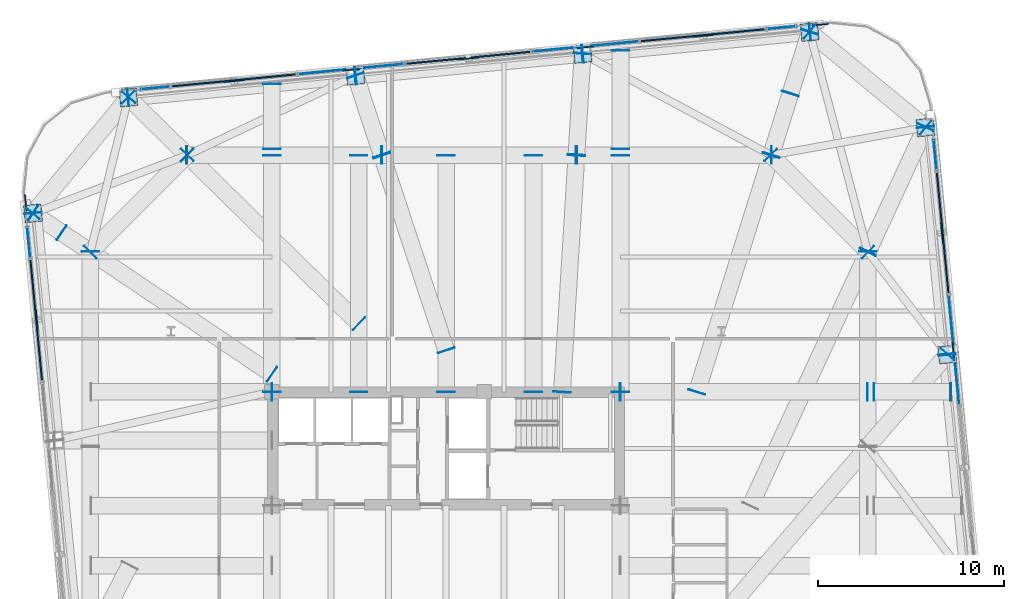
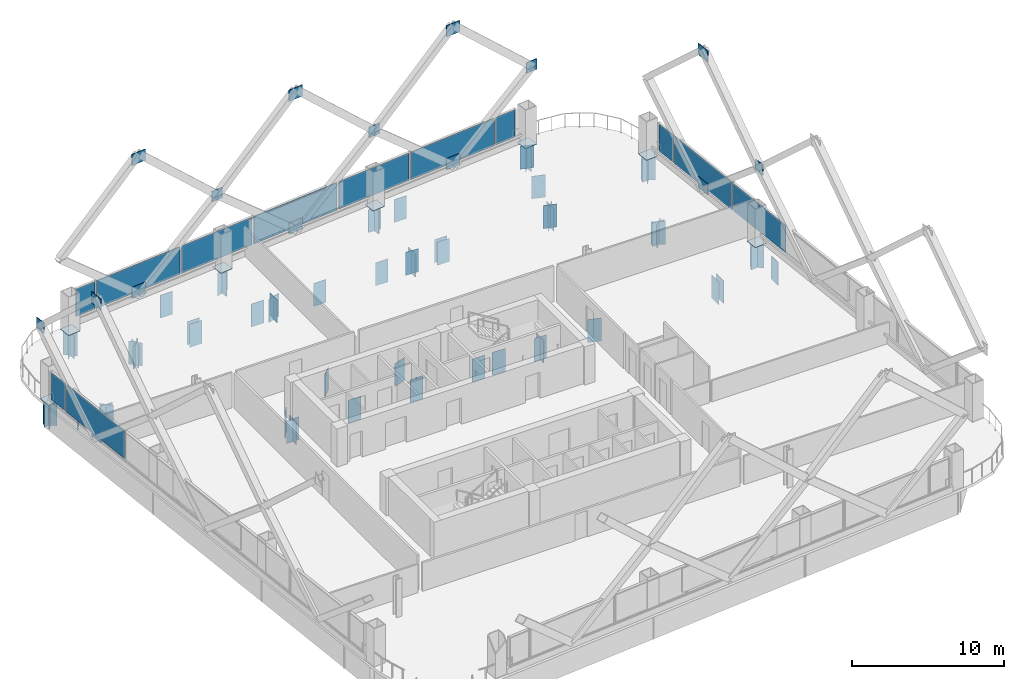
# One storey, part 36 of 42: 105 plates, 12 elements without a shape of their own.
"""IFC4 building model written with IfcOpenShell, lengths in metres."""

from ifc_helpers import new_model, si_unit, direction, frame, origin, origin_2d, place, context, subcontext, project, spatial, rectangle, extrude, material, layer, layer_set, type_object, element, aggregate, save


model = new_model("IFC4")

# Units and contexts
model_context = context("Model", 3, precision=1e-05, world=origin(), true_north=direction((0.0, 1.0)))
body_context = subcontext(model_context, "Body", "Model", "MODEL_VIEW")
ifc_project = project(units=[si_unit("LENGTHUNIT", "METRE"), si_unit("AREAUNIT", "SQUARE_METRE"), si_unit("VOLUMEUNIT", "CUBIC_METRE"), si_unit("PLANEANGLEUNIT", "RADIAN"), si_unit("MASSUNIT", "GRAM", prefix="KILO")], contexts=[model_context])

# Site, building, storey
site_placement = place(None, origin())
site = spatial("IfcSite", under=ifc_project, at=site_placement, CompositionType="ELEMENT")
building_placement = place(site_placement, origin())
building = spatial("IfcBuilding", under=site, at=building_placement, Name="Qhalaya Broadcast Tower", CompositionType="ELEMENT")
storey_placement = place(building_placement, frame((0.0, 0.0, 69.449951171875)))
storey = spatial("IfcBuildingStorey", under=building, at=storey_placement, Name="L19", CompositionType="ELEMENT", Elevation=69.449951171875)

# Plates
ifc_material_1 = material(Name="Structural Steel ASTM A572 Grade 50", Category="steel")
ifc_layer_1 = layer(ifc_material_1, 0.054931640625, Name="Structural Steel ASTM A572 Grade 50")
ifc_layer_set_1 = layer_set([ifc_layer_1], Name="Structural Steel ASTM A572 Grade 50")
plate_type_1 = type_object("IfcPlateType", Name="Exoskeleton Diamond Node Gusset Plate NP-01", PredefinedType="USERDEFINED", material=ifc_layer_set_1)
for number, where, z_axis, x_axis, name in (
    (1, (26.6533203125, 18.49072265625, 0.210205078125), (0.0, 0.0, 1.0), (-0.09584575252, 0.995396198367, 0.0), "Exoskeleton Diamond Node B2-E3-BOT"),
    (2, (26.6533203125, 18.49072265625, 10.85009765625), (0.0, 0.0, 1.0), (-0.09584575252, 0.995396198367, 0.0), "Exoskeleton Diamond Node B2-E3-TOP"),
):
    element("IfcPlate", number, at=place(storey_placement, frame(where, z_axis=z_axis, x_axis=x_axis)), inside=storey, type_object=plate_type_1, Name=name, ObjectType="GUSSET_PLATE", PredefinedType="USERDEFINED", context=body_context, shape_type="SweptSolid", body=[
        extrude(rectangle(XDim=1.10009765625, YDim=0.054931640625, at=origin_2d()), origin(), (0.0, 0.0, 1.0), 0.89990234375),
    ])
plate_1_placement = place(storey_placement, frame((27.260498046875, 12.1865234375, 5.31494140625), z_axis=(0.0, 0.0, 1.0), x_axis=(-0.09584575252, 0.995396198367, 0.0)))
element("IfcPlate", 3, at=plate_1_placement, inside=storey, type_object=plate_type_1, Name="Exoskeleton Diamond Node B2-E3-MDL", ObjectType="GUSSET_PLATE", PredefinedType="USERDEFINED", context=body_context, shape_type="SweptSolid", body=[
    extrude(rectangle(XDim=0.85009765625, YDim=0.054931640625, at=origin_2d()), origin(), (0.0, 0.0, 1.0), 0.85009765625),
])
for number, where, z_axis, x_axis, name in (
    (4, (13.805908203125, 29.08154296875, 0.210205078125), (0.0, 0.0, 1.0), (0.995396198367, 0.09584575252, 0.0), "Exoskeleton Diamond Node B2-N1-BOT"),
    (5, (13.805908203125, 29.08154296875, 10.85009765625), (0.0, 0.0, 1.0), (0.995396198367, 0.09584575252, 0.0), "Exoskeleton Diamond Node B2-N1-TOP"),
):
    element("IfcPlate", number, at=place(storey_placement, frame(where, z_axis=z_axis, x_axis=x_axis)), inside=storey, type_object=plate_type_1, Name=name, ObjectType="GUSSET_PLATE", PredefinedType="USERDEFINED", context=body_context, shape_type="SweptSolid", body=[
        extrude(rectangle(XDim=1.10009765625, YDim=0.054931640625, at=origin_2d()), origin(), (0.0, 0.0, 1.0), 0.89990234375),
    ])
plate_2_placement = place(storey_placement, frame((20.110107421875, 29.688720703125, 5.31494140625), z_axis=(0.0, 0.0, 1.0), x_axis=(0.995396198367, 0.09584575252, 0.0)))
element("IfcPlate", 6, at=plate_2_placement, inside=storey, type_object=plate_type_1, Name="Exoskeleton Diamond Node B2-N1-MDL", ObjectType="GUSSET_PLATE", PredefinedType="USERDEFINED", context=body_context, shape_type="SweptSolid", body=[
    extrude(rectangle(XDim=0.85009765625, YDim=0.054931640625, at=origin_2d()), origin(), (0.0, 0.0, 1.0), 0.85009765625),
])
for number, where, z_axis, x_axis, name in (
    (7, (1.197509765625, 27.867431640625, 0.210205078125), (0.0, 0.0, 1.0), (0.995396198367, 0.09584575252, 0.0), "Exoskeleton Diamond Node B2-N2-BOT"),
    (8, (1.197509765625, 27.867431640625, 10.85009765625), (0.0, 0.0, 1.0), (0.995396198367, 0.09584575252, 0.0), "Exoskeleton Diamond Node B2-N2-TOP"),
):
    element("IfcPlate", number, at=place(storey_placement, frame(where, z_axis=z_axis, x_axis=x_axis)), inside=storey, type_object=plate_type_1, Name=name, ObjectType="GUSSET_PLATE", PredefinedType="USERDEFINED", context=body_context, shape_type="SweptSolid", body=[
        extrude(rectangle(XDim=1.10009765625, YDim=0.054931640625, at=origin_2d()), origin(), (0.0, 0.0, 1.0), 0.89990234375),
    ])
plate_3_placement = place(storey_placement, frame((7.501708984375, 28.474609375, 5.31494140625), z_axis=(0.0, 0.0, 1.0), x_axis=(0.995396198367, 0.09584575252, 0.0)))
element("IfcPlate", 9, at=plate_3_placement, inside=storey, type_object=plate_type_1, Name="Exoskeleton Diamond Node B2-N2-MDL", ObjectType="GUSSET_PLATE", PredefinedType="USERDEFINED", context=body_context, shape_type="SweptSolid", body=[
    extrude(rectangle(XDim=0.85009765625, YDim=0.054931640625, at=origin_2d()), origin(), (0.0, 0.0, 1.0), 0.85009765625),
])
for number, where, z_axis, x_axis, name in (
    (10, (-11.410888671875, 26.6533203125, 0.210205078125), (0.0, 0.0, 1.0), (0.995396198367, 0.09584575252, 0.0), "Exoskeleton Diamond Node B2-N3-BOT"),
    (11, (-11.410888671875, 26.6533203125, 10.85009765625), (0.0, 0.0, 1.0), (0.995396198367, 0.09584575252, 0.0), "Exoskeleton Diamond Node B2-N3-TOP"),
):
    element("IfcPlate", number, at=place(storey_placement, frame(where, z_axis=z_axis, x_axis=x_axis)), inside=storey, type_object=plate_type_1, Name=name, ObjectType="GUSSET_PLATE", PredefinedType="USERDEFINED", context=body_context, shape_type="SweptSolid", body=[
        extrude(rectangle(XDim=1.10009765625, YDim=0.054931640625, at=origin_2d()), origin(), (0.0, 0.0, 1.0), 0.89990234375),
    ])
plate_4_placement = place(storey_placement, frame((-5.106689453125, 27.260498046875, 5.31494140625), z_axis=(0.0, 0.0, 1.0), x_axis=(0.995396198367, 0.09584575252, 0.0)))
element("IfcPlate", 12, at=plate_4_placement, inside=storey, type_object=plate_type_1, Name="Exoskeleton Diamond Node B2-N3-MDL", ObjectType="GUSSET_PLATE", PredefinedType="USERDEFINED", context=body_context, shape_type="SweptSolid", body=[
    extrude(rectangle(XDim=0.85009765625, YDim=0.054931640625, at=origin_2d()), origin(), (0.0, 0.0, 1.0), 0.85009765625),
])
for number, where, z_axis, x_axis, name in (
    (13, (-22.00146484375, 13.805908203125, 0.210205078125), (0.0, 0.0, 1.0), (-0.09584575252, 0.995396198367, 0.0), "Exoskeleton Diamond Node B2-W1-BOT"),
    (14, (-22.00146484375, 13.805908203125, 10.85009765625), (0.0, 0.0, 1.0), (-0.09584575252, 0.995396198367, 0.0), "Exoskeleton Diamond Node B2-W1-TOP"),
):
    element("IfcPlate", number, at=place(storey_placement, frame(where, z_axis=z_axis, x_axis=x_axis)), inside=storey, type_object=plate_type_1, Name=name, ObjectType="GUSSET_PLATE", PredefinedType="USERDEFINED", context=body_context, shape_type="SweptSolid", body=[
        extrude(rectangle(XDim=1.10009765625, YDim=0.054931640625, at=origin_2d()), origin(), (0.0, 0.0, 1.0), 0.89990234375),
    ])
plate_5_placement = place(storey_placement, frame((-22.608642578125, 20.110107421875, 5.31494140625), z_axis=(0.0, 0.0, 1.0), x_axis=(-0.09584575252, 0.995396198367, 0.0)))
element("IfcPlate", 15, at=plate_5_placement, inside=storey, type_object=plate_type_1, Name="Exoskeleton Diamond Node B2-W1-MDL", ObjectType="GUSSET_PLATE", PredefinedType="USERDEFINED", context=body_context, shape_type="SweptSolid", body=[
    extrude(rectangle(XDim=0.85009765625, YDim=0.054931640625, at=origin_2d()), origin(), (0.0, 0.0, 1.0), 0.85009765625),
])
ifc_layer_2 = layer(ifc_material_1, 0.4599609375, Name="Structural Steel ASTM A572 Grade 50")
ifc_layer_set_2 = layer_set([ifc_layer_2], Name="Structural Steel ASTM A572 Grade 50")
plate_type_2 = type_object("IfcPlateType", Name="Hollow Box Member End Cap Plate CP-01", PredefinedType="USERDEFINED", material=ifc_layer_set_2)
for number, where, z_axis, x_axis, name in (
    (16, (26.939697265625, 11.970947265625, -2.0400390625), (0.0, 0.0, 1.0), (-0.995396198367, -0.09584575252, 0.0), "L19 Hollow Girder End Cap L19-SPR-06-B"),
    (17, (26.942626953125, 11.939208984375, -2.0400390625), (0.0, 0.0, 1.0), (-0.995396198367, -0.09584575252, 0.0), "L19 Hollow Girder End Cap L19-SPR-07-A"),
    (18, (25.763916015625, 24.18115234375, -2.0400390625), (0.0, 0.0, 1.0), (-0.995396198367, -0.09584575252, 0.0), "L19 Hollow Girder End Cap L19-SPR-07-B"),
    (19, (25.77783203125, 24.155029296875, -2.0400390625), (0.0, 0.0, 1.0), (-0.636078220278, -0.771624583388, 0.0), "L19 Hollow Girder End Cap L19-SPR-08-A"),
    (20, (19.533203125, 29.302734375, -2.0400390625), (0.0, 0.0, 1.0), (-0.636078220278, -0.771624583388, 0.0), "L19 Hollow Girder End Cap L19-SPR-08-B"),
    (21, (19.561279296875, 29.294189453125, -2.0400390625), (0.0, 0.0, 1.0), (0.09584575252, -0.995396198367, 0.0), "L19 Hollow Girder End Cap L19-SPR-09-A"),
    (22, (7.3193359375, 28.115478515625, -2.0400390625), (0.0, 0.0, 1.0), (0.09584575252, -0.995396198367, 0.0), "L19 Hollow Girder End Cap L19-SPR-09-B"),
    (23, (7.35107421875, 28.118408203125, -2.0400390625), (0.0, 0.0, 1.0), (0.09584575252, -0.995396198367, 0.0), "L19 Hollow Girder End Cap L19-SPR-10-A"),
    (24, (-4.890869140625, 26.939697265625, -2.0400390625), (0.0, 0.0, 1.0), (0.09584575252, -0.995396198367, 0.0), "L19 Hollow Girder End Cap L19-SPR-10-B"),
    (25, (-4.859130859375, 26.942626953125, -2.0400390625), (0.0, 0.0, 1.0), (0.09584575252, -0.995396198367, 0.0), "L19 Hollow Girder End Cap L19-SPR-11-A"),
    (26, (-17.10107421875, 25.763916015625, -2.0400390625), (0.0, 0.0, 1.0), (0.09584575252, -0.995396198367, 0.0), "L19 Hollow Girder End Cap L19-SPR-11-B"),
    (27, (-17.074951171875, 25.77783203125, -2.0400390625), (0.0, 0.0, 1.0), (0.771624583388, -0.636078220278, 0.0), "L19 Hollow Girder End Cap L19-SPR-12-A"),
    (28, (-22.222900390625, 19.533203125, -2.0400390625), (0.0, 0.0, 1.0), (0.771624583388, -0.636078220278, 0.0), "L19 Hollow Girder End Cap L19-SPR-12-B"),
    (29, (-22.214111328125, 19.561279296875, -2.0400390625), (0.0, 0.0, 1.0), (0.995396198367, 0.09584575252, 0.0), "L19 Hollow Girder End Cap L19-SPR-13-A"),
    (30, (22.669921875, 17.486083984375, -2.0400390625), (0.0, 0.0, 1.0), (-1.0, 0.0, 0.0), "L19 Hollow Girder End Cap L19-TGL-07-B"),
    (31, (22.681396484375, 17.458740234375, -2.0400390625), (0.0, 0.0, 1.0), (-0.707106781187, -0.707106781187, 0.0), "L19 Hollow Girder End Cap L19-TGL-08-A"),
    (32, (17.458740234375, 22.681396484375, -2.0400390625), (0.0, 0.0, 1.0), (-0.707106781187, -0.707106781187, 0.0), "L19 Hollow Girder End Cap L19-TGL-08-B"),
    (33, (17.486083984375, 22.669921875, -2.0400390625), (0.0, 0.0, 1.0), (0.0, -1.0, 0.0), "L19 Hollow Girder End Cap L19-TGL-09-A"),
    (34, (6.9873046875, 22.669921875, -2.0400390625), (0.0, 0.0, 1.0), (0.0, -1.0, 0.0), "L19 Hollow Girder End Cap L19-TGL-09-B"),
    (35, (7.019287109375, 22.669921875, -2.0400390625), (0.0, 0.0, 1.0), (0.0, -1.0, 0.0), "L19 Hollow Girder End Cap L19-TGL-10-A"),
    (36, (-3.479248046875, 22.669921875, -2.0400390625), (0.0, 0.0, 1.0), (0.0, -1.0, 0.0), "L19 Hollow Girder End Cap L19-TGL-10-B"),
    (37, (-3.447265625, 22.669921875, -2.0400390625), (0.0, 0.0, 1.0), (0.0, -1.0, 0.0), "L19 Hollow Girder End Cap L19-TGL-11-A"),
    (38, (-13.946044921875, 22.669921875, -2.0400390625), (0.0, 0.0, 1.0), (0.0, -1.0, 0.0), "L19 Hollow Girder End Cap L19-TGL-11-B"),
    (39, (-13.918701171875, 22.681396484375, -2.0400390625), (0.0, 0.0, 1.0), (0.707106781187, -0.707106781187, 0.0), "L19 Hollow Girder End Cap L19-TGL-12-A"),
    (40, (-19.141357421875, 17.458740234375, -2.0400390625), (0.0, 0.0, 1.0), (0.707106781187, -0.707106781187, 0.0), "L19 Hollow Girder End Cap L19-TGL-12-B"),
    (41, (-19.1298828125, 17.486083984375, -2.0400390625), (0.0, 0.0, 1.0), (1.0, 0.0, 0.0), "L19 Hollow Girder End Cap L19-TGL-13-A"),
    (42, (-9.375, 9.93408203125, -2.0400390625), (0.0, 0.0, 1.0), (-1.0, 0.0, 0.0), "L19 Hollow Girder End Cap L19-TGINW-1-A"),
    (43, (-9.375, 22.64599609375, -2.0400390625), (0.0, 0.0, 1.0), (-1.0, 0.0, 0.0), "L19 Hollow Girder End Cap L19-TGINW-1-B"),
    (44, (9.375, 9.93408203125, -2.0400390625), (0.0, 0.0, 1.0), (-1.0, 0.0, 0.0), "L19 Hollow Girder End Cap L19-TGINE-1-A"),
    (45, (9.375, 22.64599609375, -2.0400390625), (0.0, 0.0, 1.0), (-1.0, 0.0, 0.0), "L19 Hollow Girder End Cap L19-TGINE-1-B"),
    (46, (0.0, 9.93408203125, -2.0400390625), (0.0, 0.0, 1.0), (-1.0, 0.0, 0.0), "L19 Hollow Girder End Cap L19-TGIMN-1-A"),
    (47, (0.0, 22.64599609375, -2.0400390625), (0.0, 0.0, 1.0), (-1.0, 0.0, 0.0), "L19 Hollow Girder End Cap L19-TGIMN-1-B"),
    (48, (-4.699951171875, 9.93408203125, -2.0400390625), (0.0, 0.0, 1.0), (-1.0, 0.0, 0.0), "L19 Hollow Girder End Cap L19-TGIMNW-1-A"),
    (49, (-4.699951171875, 22.64599609375, -2.0400390625), (0.0, 0.0, 1.0), (-1.0, 0.0, 0.0), "L19 Hollow Girder End Cap L19-TGIMNW-1-B"),
    (50, (4.699951171875, 9.93408203125, -2.0400390625), (0.0, 0.0, 1.0), (-1.0, 0.0, 0.0), "L19 Hollow Girder End Cap L19-TGIMNE-1-A"),
    (51, (4.699951171875, 22.64599609375, -2.0400390625), (0.0, 0.0, 1.0), (-1.0, 0.0, 0.0), "L19 Hollow Girder End Cap L19-TGIMNE-1-B"),
    (52, (-9.35888671875, 9.949951171875, -2.0400390625), (0.0, 0.0, 1.0), (0.0, 1.0, 0.0), "L19 Hollow Girder End Cap L19-TGIY4W-1-B"),
    (53, (9.35888671875, 9.949951171875, -2.0400390625), (0.0, 0.0, 1.0), (0.0, 1.0, 0.0), "L19 Hollow Girder End Cap L19-TGIY4E-1-A"),
    (54, (22.64599609375, 9.949951171875, -2.0400390625), (0.0, 0.0, 1.0), (0.0, 1.0, 0.0), "L19 Hollow Girder End Cap L19-TGIY4E-1-B"),
    (55, (26.95166015625, 11.967041015625, -2.0400390625), (0.0, 0.0, 1.0), (-0.757223096347, 0.653156323064, 0.0), "L19 Hollow Girder End Cap L19-TGC-07-B"),
    (56, (22.6767578125, 17.484619140625, -2.0400390625), (0.0, 0.0, 1.0), (-0.907682284509, 0.419658039824, 0.0), "L19 Hollow Girder End Cap L19-TGA-08-B"),
    (57, (22.663330078125, 17.45556640625, -2.0400390625), (0.0, 0.0, 1.0), (-0.907682284509, 0.419658039824, 0.0), "L19 Hollow Girder End Cap L19-TGC-08-A"),
    (58, (25.772216796875, 24.1796875, -2.0400390625), (0.0, 0.0, 1.0), (-0.907682284509, 0.419658039824, 0.0), "L19 Hollow Girder End Cap L19-TGC-08-B"),
    (59, (13.47900390625, 9.934814453125, -2.0400390625), (0.0, 0.0, 1.0), (-0.954240328516, 0.299040792256, 0.0), "L19 Hollow Girder End Cap L19-TGA-09-A"),
    (60, (17.474853515625, 22.685302734375, -2.0400390625), (0.0, 0.0, 1.0), (-0.954240328516, 0.299040792256, 0.0), "L19 Hollow Girder End Cap L19-TGA-09-B"),
    (61, (17.465087890625, 22.65478515625, -2.0400390625), (0.0, 0.0, 1.0), (-0.954240328516, 0.299040792256, 0.0), "L19 Hollow Girder End Cap L19-TGC-09-A"),
    (62, (19.55029296875, 29.307861328125, -2.0400390625), (0.0, 0.0, 1.0), (-0.954240328516, 0.299040792256, 0.0), "L19 Hollow Girder End Cap L19-TGC-09-B"),
):
    element("IfcPlate", number, at=place(storey_placement, frame(where, z_axis=z_axis, x_axis=x_axis)), inside=storey, type_object=plate_type_2, Name=name, ObjectType="COVER_PLATE", PredefinedType="USERDEFINED", context=body_context, shape_type="SweptSolid", body=[
        extrude(rectangle(XDim=0.93994140625, YDim=0.031982421875, at=origin_2d()), origin(), (0.0, 0.0, 1.0), 1.840087890625),
    ])
plate_6_placement = place(storey_placement, frame((19.54541015625, 29.29248046875, -2.02001953125), z_axis=(0.0, 0.0, 1.0), x_axis=(-0.954240328516, 0.299040792256, 0.0)))
element("IfcPlate", 63, at=plate_6_placement, inside=storey, type_object=plate_type_2, Name="L19 Transfer Box End Cap 09", ObjectType="COVER_PLATE", PredefinedType="USERDEFINED", context=body_context, shape_type="SweptSolid", body=[
    extrude(rectangle(XDim=0.919921875, YDim=0.035888671875, at=origin_2d()), origin(), (0.0, 0.0, 1.0), 1.800048828125),
])
for number, where, z_axis, x_axis, name in (
    (64, (6.227294921875, 9.93408203125, -2.0400390625), (0.0, 0.0, 1.0), (-0.998148624204, 0.060822068363, 0.0), "L19 Hollow Girder End Cap L19-TGA-10-A"),
    (65, (7.00439453125, 22.68603515625, -2.0400390625), (0.0, 0.0, 1.0), (-0.998148624204, 0.060822068363, 0.0), "L19 Hollow Girder End Cap L19-TGA-10-B"),
    (66, (7.002197265625, 22.654052734375, -2.0400390625), (0.0, 0.0, 1.0), (-0.998148624204, 0.060822068363, 0.0), "L19 Hollow Girder End Cap L19-TGC-10-A"),
    (67, (7.336181640625, 28.1328125, -2.0400390625), (0.0, 0.0, 1.0), (-0.998148624204, 0.060822068363, 0.0), "L19 Hollow Girder End Cap L19-TGC-10-B"),
    (68, (0.0048828125, 12.17626953125, -2.0400390625), (0.0, 0.0, 1.0), (-0.949485742368, -0.313810173575, 0.0), "L19 Hollow Girder End Cap L19-TGA-11-A"),
    (69, (-3.46826171875, 22.685302734375, -2.0400390625), (0.0, 0.0, 1.0), (-0.949485742368, -0.313810173575, 0.0), "L19 Hollow Girder End Cap L19-TGA-11-B"),
    (70, (-3.458251953125, 22.65478515625, -2.0400390625), (0.0, 0.0, 1.0), (-0.949480265203, -0.31382674518, 0.0), "L19 Hollow Girder End Cap L19-TGC-11-A"),
    (71, (-4.8798828125, 26.956298828125, -2.0400390625), (0.0, 0.0, 1.0), (-0.949480265203, -0.31382674518, 0.0), "L19 Hollow Girder End Cap L19-TGC-11-B"),
    (72, (-4.688720703125, 13.603515625, -2.0400390625), (0.0, 0.0, 1.0), (-0.700323945814, -0.713825168314, 0.0), "L19 Hollow Girder End Cap L19-TGA-12-A"),
    (73, (-13.94140625, 22.68115234375, -2.0400390625), (0.0, 0.0, 1.0), (-0.700323945814, -0.713825168314, 0.0), "L19 Hollow Girder End Cap L19-TGA-12-B"),
    (74, (-13.918701171875, 22.65869140625, -2.0400390625), (0.0, 0.0, 1.0), (-0.700323945814, -0.713825168314, 0.0), "L19 Hollow Girder End Cap L19-TGC-12-A"),
    (75, (-17.0966796875, 25.776611328125, -2.0400390625), (0.0, 0.0, 1.0), (-0.700323945814, -0.713825168314, 0.0), "L19 Hollow Girder End Cap L19-TGC-12-B"),
    (76, (-9.36181640625, 10.893310546875, -2.0400390625), (0.0, 0.0, 1.0), (-0.558483696736, -0.829515497432, 0.0), "L19 Hollow Girder End Cap L19-TGA-13-A"),
    (77, (-22.225830078125, 19.55419921875, -2.0400390625), (0.0, 0.0, 1.0), (-0.558483696736, -0.829515497432, 0.0), "L19 Hollow Girder End Cap L19-TGA-13-B"),
):
    element("IfcPlate", number, at=place(storey_placement, frame(where, z_axis=z_axis, x_axis=x_axis)), inside=storey, type_object=plate_type_2, Name=name, ObjectType="COVER_PLATE", PredefinedType="USERDEFINED", context=body_context, shape_type="SweptSolid", body=[
        extrude(rectangle(XDim=0.93994140625, YDim=0.031982421875, at=origin_2d()), origin(), (0.0, 0.0, 1.0), 1.840087890625),
    ])
plate_7_placement = place(storey_placement, frame((-22.212646484375, 19.54541015625, -2.02001953125), z_axis=(0.0, 0.0, 1.0), x_axis=(-0.558483696736, -0.829515497432, 0.0)))
element("IfcPlate", 78, at=plate_7_placement, inside=storey, type_object=plate_type_2, Name="L19 Transfer Box End Cap 13", ObjectType="COVER_PLATE", PredefinedType="USERDEFINED", context=body_context, shape_type="SweptSolid", body=[
    extrude(rectangle(XDim=0.919921875, YDim=0.035888671875, at=origin_2d()), origin(), (0.0, 0.0, 1.0), 1.800048828125),
])
for number, where, z_axis, x_axis, name in (
    (79, (-9.375, 22.993896484375, -2.0400390625), (0.0, 0.0, 1.0), (-1.0, 0.0, 0.0), "L19 Hollow Girder End Cap L19-PGXN1-OV1-A"),
    (80, (-9.375, 26.50390625, -2.0400390625), (0.0, 0.0, 1.0), (-1.0, 0.0, 0.0), "L19 Hollow Girder End Cap L19-PGXN1-OV1-B"),
    (81, (9.375, 22.993896484375, -2.0400390625), (0.0, 0.0, 1.0), (-1.0, 0.0, 0.0), "L19 Hollow Girder End Cap L19-PGXN2-OV1-A"),
    (82, (9.375, 28.30908203125, -2.0400390625), (0.0, 0.0, 1.0), (-1.0, 0.0, 0.0), "L19 Hollow Girder End Cap L19-PGXN2-OV1-B"),
    (83, (22.993896484375, 9.949951171875, -2.0400390625), (0.0, 0.0, 1.0), (0.0, 1.0, 0.0), "L19 Hollow Girder End Cap L19-PGYE4-OV1-A"),
    (84, (27.130126953125, 9.949951171875, -2.0400390625), (0.0, 0.0, 1.0), (0.0, 1.0, 0.0), "L19 Hollow Girder End Cap L19-PGYE4-OV1-B"),
):
    element("IfcPlate", number, at=place(storey_placement, frame(where, z_axis=z_axis, x_axis=x_axis)), inside=storey, type_object=plate_type_2, Name=name, ObjectType="COVER_PLATE", PredefinedType="USERDEFINED", context=body_context, shape_type="SweptSolid", body=[
        extrude(rectangle(XDim=0.93994140625, YDim=0.031982421875, at=origin_2d()), origin(), (0.0, 0.0, 1.0), 1.840087890625),
    ])
for number, where, z_axis, x_axis, name in (
    (85, (26.941162109375, 11.955078125, -0.03173828125), (0.0, 0.0, 1.0), (-0.09584575252, 0.995396198367, 0.0), "L19 Hollow Box Column Base Cap Plate COL-EX07"),
    (86, (25.765380859375, 24.165283203125, -0.03173828125), (0.0, 0.0, 1.0), (-0.09584575252, 0.995396198367, 0.0), "L19 Hollow Box Column Base Cap Plate COL-EX08"),
    (87, (19.54541015625, 29.29248046875, -0.03173828125), (0.0, 0.0, 1.0), (0.995396198367, 0.09584575252, 0.0), "L19 Hollow Box Column Base Cap Plate COL-EX09"),
    (88, (7.335205078125, 28.116943359375, -0.03173828125), (0.0, 0.0, 1.0), (0.995396198367, 0.09584575252, 0.0), "L19 Hollow Box Column Base Cap Plate COL-EX10"),
    (89, (-4.875, 26.941162109375, -0.03173828125), (0.0, 0.0, 1.0), (0.995396198367, 0.09584575252, 0.0), "L19 Hollow Box Column Base Cap Plate COL-EX11"),
    (90, (-17.085205078125, 25.765380859375, -0.03173828125), (0.0, 0.0, 1.0), (0.995396198367, 0.09584575252, 0.0), "L19 Hollow Box Column Base Cap Plate COL-EX12"),
    (91, (-22.212646484375, 19.54541015625, -0.03173828125), (0.0, 0.0, 1.0), (-0.09584575252, 0.995396198367, 0.0), "L19 Hollow Box Column Base Cap Plate COL-EX13"),
):
    element("IfcPlate", number, at=place(storey_placement, frame(where, z_axis=z_axis, x_axis=x_axis)), inside=storey, type_object=plate_type_2, Name=name, ObjectType="COVER_PLATE", PredefinedType="USERDEFINED", context=body_context, shape_type="SweptSolid", body=[
        extrude(rectangle(XDim=0.93994140625, YDim=0.93994140625, at=origin_2d()), origin(), (0.0, 0.0, 1.0), 0.031982421875),
    ])

# Curtain wall, plate
ifc_material_2 = material(Name="Fired Architectural Terracotta", Category="masonry")
ifc_layer_3 = layer(ifc_material_2, 0.219970703125, Name="Fired Architectural Terracotta")
ifc_layer_set_3 = layer_set([ifc_layer_3], Name="Fired Architectural Terracotta")
curtain_wall_type_1 = type_object("IfcCurtainWallType", Name="Block-Cap Unitised Terracotta Spandrel Wall CW-07", PredefinedType="NOTDEFINED", material=ifc_layer_set_3)
curtain_wall_1_placement = place(storey_placement, origin())
curtain_wall_1 = element("IfcCurtainWall", 92, at=curtain_wall_1_placement, inside=storey, type_object=curtain_wall_type_1, Name="L19 Unitised Curtain Wall L19-CW-E6", PredefinedType="NOTDEFINED")
ifc_layer_4 = layer(ifc_material_2, 0.080078125, Name="Fired Architectural Terracotta")
ifc_layer_set_4 = layer_set([ifc_layer_4], Name="Fired Architectural Terracotta")
plate_type_3 = type_object("IfcPlateType", Name="Insulated Terracotta Spandrel Panel TSP-07", PredefinedType="CURTAIN_PANEL", material=ifc_layer_set_4)
plate_8_placement = place(storey_placement, frame((26.693359375, 18.494384765625, 0.55517578125), z_axis=(0.0, 0.0, 1.0), x_axis=(-0.095857967914, 0.995395022083, 0.0)))
plate_8 = element("IfcPlate", 93, at=plate_8_placement, type_object=plate_type_3, Name="CW-07 panel 1.1", PredefinedType="CURTAIN_PANEL", context=body_context, shape_type="SweptSolid", body=[
    extrude(rectangle(XDim=6.512939453125, YDim=0.080078125, at=origin_2d()), origin(), (0.0, 0.0, 1.0), 2.199951171875),
])
aggregate(curtain_wall_1, [plate_8])

curtain_wall_2_placement = place(storey_placement, origin())
curtain_wall_2 = element("IfcCurtainWall", 94, at=curtain_wall_2_placement, inside=storey, type_object=curtain_wall_type_1, Name="L19 Unitised Curtain Wall L19-CW-N2", PredefinedType="NOTDEFINED")
plate_9_placement = place(storey_placement, frame((13.802001953125, 29.121337890625, 0.55517578125), z_axis=(0.0, 0.0, 1.0), x_axis=(-0.995395819861, -0.095849683373, 0.0)))
plate_9 = element("IfcPlate", 95, at=plate_9_placement, type_object=plate_type_3, Name="CW-07 panel 1.1", PredefinedType="CURTAIN_PANEL", context=body_context, shape_type="SweptSolid", body=[
    extrude(rectangle(XDim=6.693115234375, YDim=0.080078125, at=origin_2d()), origin(), (0.0, 0.0, 1.0), 2.199951171875),
])
aggregate(curtain_wall_2, [plate_9])

curtain_wall_3_placement = place(storey_placement, origin())
curtain_wall_3 = element("IfcCurtainWall", 96, at=curtain_wall_3_placement, inside=storey, type_object=curtain_wall_type_1, Name="L19 Unitised Curtain Wall L19-CW-N4", PredefinedType="NOTDEFINED")
plate_10_placement = place(storey_placement, frame((1.19384765625, 27.9072265625, 0.55517578125), z_axis=(0.0, 0.0, 1.0), x_axis=(-0.995395768185, -0.095850220023, 0.0)))
plate_10 = element("IfcPlate", 97, at=plate_10_placement, type_object=plate_type_3, Name="CW-07 panel 1.1", PredefinedType="CURTAIN_PANEL", context=body_context, shape_type="SweptSolid", body=[
    extrude(rectangle(XDim=6.694091796875, YDim=0.080078125, at=origin_2d()), origin(), (0.0, 0.0, 1.0), 2.199951171875),
])
aggregate(curtain_wall_3, [plate_10])

curtain_wall_4_placement = place(storey_placement, origin())
curtain_wall_4 = element("IfcCurtainWall", 98, at=curtain_wall_4_placement, inside=storey, type_object=curtain_wall_type_1, Name="L19 Unitised Curtain Wall L19-CW-N6", PredefinedType="NOTDEFINED")
plate_11_placement = place(storey_placement, frame((-11.41455078125, 26.693359375, 0.55517578125), z_axis=(0.0, 0.0, 1.0), x_axis=(-0.995395819861, -0.095849683373, 0.0)))
plate_11 = element("IfcPlate", 99, at=plate_11_placement, type_object=plate_type_3, Name="CW-07 panel 1.1", PredefinedType="CURTAIN_PANEL", context=body_context, shape_type="SweptSolid", body=[
    extrude(rectangle(XDim=6.693115234375, YDim=0.080078125, at=origin_2d()), origin(), (0.0, 0.0, 1.0), 2.199951171875),
])
aggregate(curtain_wall_4, [plate_11])

curtain_wall_5_placement = place(storey_placement, origin())
curtain_wall_5 = element("IfcCurtainWall", 100, at=curtain_wall_5_placement, inside=storey, type_object=curtain_wall_type_1, Name="L19 Unitised Curtain Wall L19-CW-W2", PredefinedType="NOTDEFINED")
plate_12_placement = place(storey_placement, frame((-22.041259765625, 13.802001953125, 0.55517578125), z_axis=(0.0, 0.0, 1.0), x_axis=(0.095856535899, -0.995395159987, 0.0)))
plate_12 = element("IfcPlate", 101, at=plate_12_placement, type_object=plate_type_3, Name="CW-07 panel 1.1", PredefinedType="CURTAIN_PANEL", context=body_context, shape_type="SweptSolid", body=[
    extrude(rectangle(XDim=6.51318359375, YDim=0.080078125, at=origin_2d()), origin(), (0.0, 0.0, 1.0), 2.199951171875),
])
aggregate(curtain_wall_5, [plate_12])

ifc_material_3 = material(Name="Solar-Control Low-E Triple Glazing", Category="glass")
ifc_layer_5 = layer(ifc_material_3, 0.219970703125, Name="Solar-Control Low-E Triple Glazing")
ifc_layer_set_5 = layer_set([ifc_layer_5], Name="Solar-Control Low-E Triple Glazing")
curtain_wall_type_2 = type_object("IfcCurtainWallType", Name="Even-Block 4-Storey Double-Module Curtain Wall CW-03", PredefinedType="NOTDEFINED", material=ifc_layer_set_5)
curtain_wall_6_placement = place(storey_placement, origin())
curtain_wall_6 = element("IfcCurtainWall", 102, at=curtain_wall_6_placement, inside=storey, type_object=curtain_wall_type_2, Name="L19 Unitised Curtain Wall L19-CW-E5", PredefinedType="NOTDEFINED")
ifc_layer_6 = layer(ifc_material_3, 0.035888671875, Name="Solar-Control Low-E Triple Glazing")
ifc_layer_set_6 = layer_set([ifc_layer_6], Name="Solar-Control Low-E Triple Glazing")
plate_type_4 = type_object("IfcPlateType", Name="Solar-Control Curtain Glazing Panel GLP-03", PredefinedType="CURTAIN_PANEL", material=ifc_layer_set_6)
plate_13_placement = place(storey_placement, frame((27.30029296875, 12.190185546875, 0.55517578125), z_axis=(0.0, 0.0, 1.0), x_axis=(-0.095835542837, 0.995397181395, 0.0)))
plate_13 = element("IfcPlate", 103, at=plate_13_placement, type_object=plate_type_4, Name="CW-03 panel 1.1", PredefinedType="CURTAIN_PANEL", context=body_context, shape_type="SweptSolid", body=[
    extrude(rectangle(XDim=5.85400390625, YDim=0.035888671875, at=origin_2d()), origin(), (0.0, 0.0, 1.0), 2.199951171875),
])
aggregate(curtain_wall_6, [plate_13])

curtain_wall_7_placement = place(storey_placement, origin())
curtain_wall_7 = element("IfcCurtainWall", 104, at=curtain_wall_7_placement, inside=storey, type_object=curtain_wall_type_2, Name="L19 Unitised Curtain Wall L19-CW-E7", PredefinedType="NOTDEFINED")
plate_14_placement = place(storey_placement, frame((26.2900390625, 22.6826171875, 0.55517578125), z_axis=(0.0, 0.0, 1.0), x_axis=(-0.095829861583, 0.995397728362, 0.0)))
plate_14 = element("IfcPlate", 105, at=plate_14_placement, type_object=plate_type_4, Name="CW-03 panel 1.1", PredefinedType="CURTAIN_PANEL", context=body_context, shape_type="SweptSolid", body=[
    extrude(rectangle(XDim=1.60205078125, YDim=0.035888671875, at=origin_2d()), origin(), (0.0, 0.0, 1.0), 2.199951171875),
])
aggregate(curtain_wall_7, [plate_14])

curtain_wall_8_placement = place(storey_placement, origin())
curtain_wall_8 = element("IfcCurtainWall", 106, at=curtain_wall_8_placement, inside=storey, type_object=curtain_wall_type_2, Name="L19 Unitised Curtain Wall L19-CW-N1", PredefinedType="NOTDEFINED")
plate_15_placement = place(storey_placement, frame((18.034912109375, 29.529052734375, 0.55517578125), z_axis=(0.0, 0.0, 1.0), x_axis=(-0.995395680125, -0.095851134517, 0.0)))
plate_15 = element("IfcPlate", 107, at=plate_15_placement, type_object=plate_type_4, Name="CW-03 panel 1.1", PredefinedType="CURTAIN_PANEL", context=body_context, shape_type="SweptSolid", body=[
    extrude(rectangle(XDim=1.511962890625, YDim=0.035888671875, at=origin_2d()), origin(), (0.0, 0.0, 1.0), 2.199951171875),
])
aggregate(curtain_wall_8, [plate_15])

curtain_wall_9_placement = place(storey_placement, origin())
curtain_wall_9 = element("IfcCurtainWall", 108, at=curtain_wall_9_placement, inside=storey, type_object=curtain_wall_type_2, Name="L19 Unitised Curtain Wall L19-CW-N3", PredefinedType="NOTDEFINED")
plate_16_placement = place(storey_placement, frame((7.498046875, 28.514404296875, 0.55517578125), z_axis=(0.0, 0.0, 1.0), x_axis=(-0.995396371729, -0.095843952075, 0.0)))
plate_16 = element("IfcPlate", 109, at=plate_16_placement, type_object=plate_type_4, Name="CW-03 panel 1.1", PredefinedType="CURTAIN_PANEL", context=body_context, shape_type="SweptSolid", body=[
    extrude(rectangle(XDim=5.673095703125, YDim=0.035888671875, at=origin_2d()), origin(), (0.0, 0.0, 1.0), 2.199951171875),
])
aggregate(curtain_wall_9, [plate_16])

curtain_wall_10_placement = place(storey_placement, origin())
curtain_wall_10 = element("IfcCurtainWall", 110, at=curtain_wall_10_placement, inside=storey, type_object=curtain_wall_type_2, Name="L19 Unitised Curtain Wall L19-CW-N5", PredefinedType="NOTDEFINED")
plate_17_placement = place(storey_placement, frame((-5.110595703125, 27.30029296875, 0.55517578125), z_axis=(0.0, 0.0, 1.0), x_axis=(-0.995396371729, -0.095843952075, 0.0)))
plate_17 = element("IfcPlate", 111, at=plate_17_placement, type_object=plate_type_4, Name="CW-03 panel 1.1", PredefinedType="CURTAIN_PANEL", context=body_context, shape_type="SweptSolid", body=[
    extrude(rectangle(XDim=5.673095703125, YDim=0.035888671875, at=origin_2d()), origin(), (0.0, 0.0, 1.0), 2.199951171875),
])
aggregate(curtain_wall_10, [plate_17])

curtain_wall_11_placement = place(storey_placement, origin())
curtain_wall_11 = element("IfcCurtainWall", 112, at=curtain_wall_11_placement, inside=storey, type_object=curtain_wall_type_2, Name="L19 Unitised Curtain Wall L19-CW-N7", PredefinedType="NOTDEFINED")
plate_18_placement = place(storey_placement, frame((-15.6474609375, 26.28564453125, 0.55517578125), z_axis=(0.0, 0.0, 1.0), x_axis=(-0.995396232884, -0.095845394047, 0.0)))
plate_18 = element("IfcPlate", 113, at=plate_18_placement, type_object=plate_type_4, Name="CW-03 panel 1.1", PredefinedType="CURTAIN_PANEL", context=body_context, shape_type="SweptSolid", body=[
    extrude(rectangle(XDim=1.511962890625, YDim=0.035888671875, at=origin_2d()), origin(), (0.0, 0.0, 1.0), 2.199951171875),
])
aggregate(curtain_wall_11, [plate_18])

curtain_wall_12_placement = place(storey_placement, origin())
curtain_wall_12 = element("IfcCurtainWall", 114, at=curtain_wall_12_placement, inside=storey, type_object=curtain_wall_type_2, Name="L19 Unitised Curtain Wall L19-CW-W1", PredefinedType="NOTDEFINED")
plate_19_placement = place(storey_placement, frame((-22.444580078125, 17.989990234375, 0.55517578125), z_axis=(0.0, 0.0, 1.0), x_axis=(0.095835306252, -0.995397204173, 0.0)))
plate_19 = element("IfcPlate", 115, at=plate_19_placement, type_object=plate_type_4, Name="CW-03 panel 1.1", PredefinedType="CURTAIN_PANEL", context=body_context, shape_type="SweptSolid", body=[
    extrude(rectangle(XDim=1.60205078125, YDim=0.035888671875, at=origin_2d()), origin(), (0.0, 0.0, 1.0), 2.199951171875),
])
aggregate(curtain_wall_12, [plate_19])

# Plates
ifc_layer_7 = layer(ifc_material_1, 0.044921875, Name="Structural Steel ASTM A572 Grade 50")
ifc_layer_set_7 = layer_set([ifc_layer_7], Name="Structural Steel ASTM A572 Grade 50")
plate_type_5 = type_object("IfcPlateType", Name="Transfer Girder Web Stiffener Plate WS-01", PredefinedType="USERDEFINED", material=ifc_layer_set_7)
for number, where, z_axis, x_axis, name in (
    (116, (18.5078125, 25.981201171875, -2.02001953125), (0.0, 0.0, 1.0), (-0.954240328516, 0.299040792256, 0.0), "L19 Transfer Girder Stiffener 09"),
    (117, (-20.67138671875, 18.5078125, -2.02001953125), (0.0, 0.0, 1.0), (-0.558483696736, -0.829515497432, 0.0), "L19 Transfer Girder Stiffener 13"),
):
    element("IfcPlate", number, at=place(storey_placement, frame(where, z_axis=z_axis, x_axis=x_axis)), inside=storey, type_object=plate_type_5, Name=name, ObjectType="STIFFENER_PLATE", PredefinedType="USERDEFINED", context=body_context, shape_type="SweptSolid", body=[
        extrude(rectangle(XDim=0.93994140625, YDim=0.044921875, at=origin_2d()), origin(), (0.0, 0.0, 1.0), 1.800048828125),
    ])

save(model, "model.ifc")
